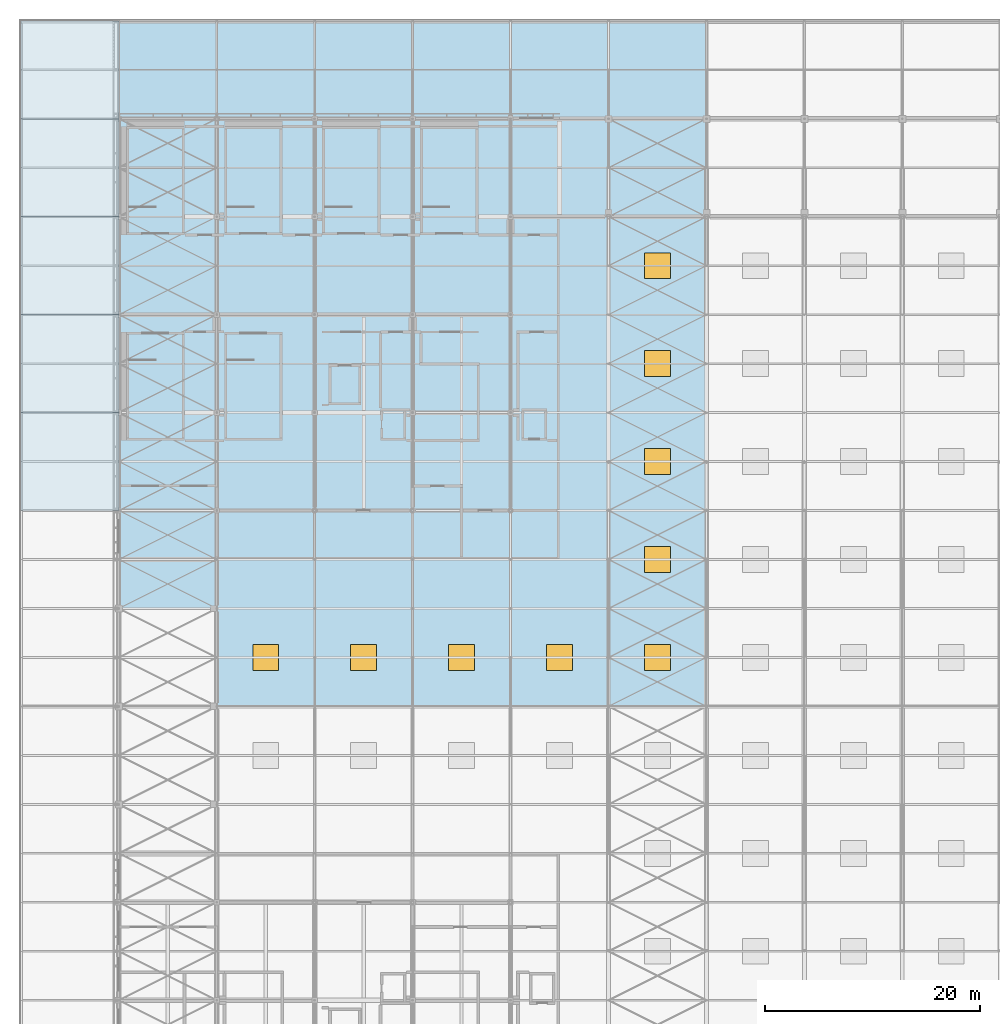
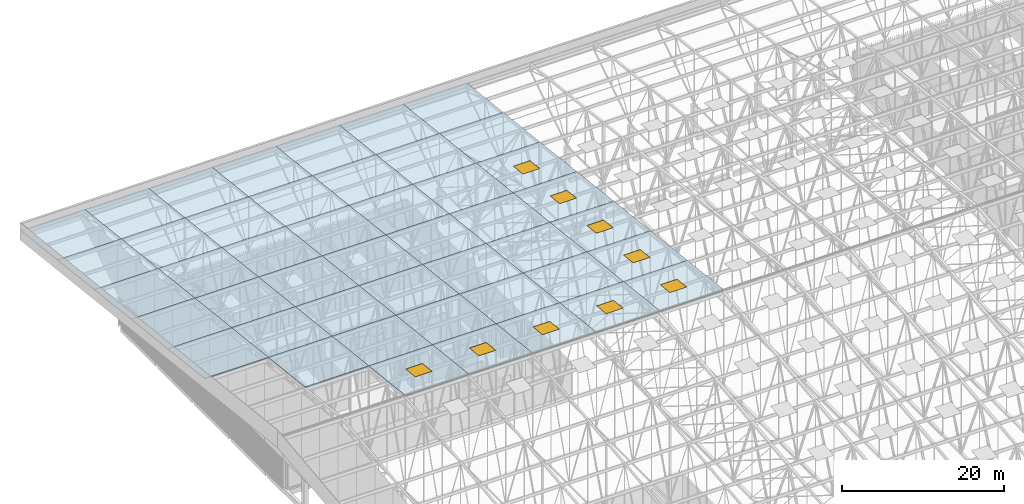
# One storey, part 420 of 500: 46 slabs, 9 windows, 9 openings.
"""IFC4 building model written with IfcOpenShell, lengths in metres."""

from ifc_helpers import new_model, si_unit, direction, frame, origin, origin_2d, place, context, subcontext, project, spatial, polyline, rectangle, outline, extrude, material, layer, layer_set, type_object, element, fill, save


model = new_model("IFC4")

# Units and contexts
model_context = context("Model", 3, precision=1e-05, world=origin(), true_north=direction((0.0, 1.0)))
body_context = subcontext(model_context, "Body", "Model", "MODEL_VIEW")
ifc_project = project(units=[si_unit("LENGTHUNIT", "METRE"), si_unit("AREAUNIT", "SQUARE_METRE"), si_unit("VOLUMEUNIT", "CUBIC_METRE"), si_unit("PLANEANGLEUNIT", "RADIAN"), si_unit("MASSUNIT", "GRAM", prefix="KILO")], contexts=[model_context])

# Site, building, storey
site_placement = place(None, origin())
site = spatial("IfcSite", under=ifc_project, at=site_placement, CompositionType="ELEMENT")
building_placement = place(site_placement, origin())
building = spatial("IfcBuilding", under=site, at=building_placement, Name="Shirokan Park Arena", CompositionType="ELEMENT")
storey_placement = place(building_placement, frame((0.0, 0.0, 29.1201171875)))
storey = spatial("IfcBuildingStorey", under=building, at=storey_placement, Name="L06", CompositionType="ELEMENT", Elevation=29.1201171875)

# Slabs
ifc_material_1 = material(Name="Concrete C30 precast", Category="concrete")
ifc_layer = layer(ifc_material_1, 0.1201171875)
ifc_layer_set = layer_set([ifc_layer], Name="Concrete C30 precast 120 mm")
slab_type = type_object("IfcSlabType", Name="Roof deck panel 120", PredefinedType="ROOF", material=ifc_layer_set)
slab_1_placement = place(storey_placement, frame((-9.10009765625, 72.800048828125, 17.03076171875), z_axis=(0.0, 0.113552605302, 0.993531985308), x_axis=(1.0, 0.0, 0.0)))
element("IfcSlab", 1, at=slab_1_placement, inside=storey, type_object=slab_type, Name="Roof deck panel 1-10", PredefinedType="ROOF", context=body_context, shape_type="SweptSolid", body=[
    extrude(outline(polyline([(0.0, 0.0), (9.10009765625, 0.0), (9.10009765625, 9.159094674549367), (0.0, 9.159094674549367), (0.0, 0.0)])), origin(), (0.0, 0.0, -1.0), 0.1201171875),
])
for number, where, z_axis, x_axis, name in (
    (2, (-9.10009765625, 81.89990234375, 15.99072265625), (0.0, 0.113549598152, 0.993532328996), (1.0, 0.0, 0.0), "Roof deck panel 1-11"),
    (3, (-9.10009765625, 91.0, 14.95068359375), (0.0, 0.113549598152, 0.993532328996), (1.0, 0.0, 0.0), "Roof deck panel 1-12"),
):
    element("IfcSlab", number, at=place(storey_placement, frame(where, z_axis=z_axis, x_axis=x_axis)), inside=storey, type_object=slab_type, Name=name, PredefinedType="ROOF", context=body_context, shape_type="SweptSolid", body=[
        extrude(outline(polyline([(0.0, 0.0), (9.10009765625, 0.0), (9.10009765625, 9.15933723611117), (0.0, 9.15933723611117), (0.0, 0.0)])), origin(), (0.0, 0.0, -1.0), 0.1201171875),
    ])
slab_2_placement = place(storey_placement, frame((-9.10009765625, 100.10009765625, 13.91064453125), z_axis=(0.0, 0.113552605302, 0.993531985308), x_axis=(1.0, 0.0, 0.0)))
element("IfcSlab", 4, at=slab_2_placement, inside=storey, type_object=slab_type, Name="Roof deck panel 1-13", PredefinedType="ROOF", context=body_context, shape_type="SweptSolid", body=[
    extrude(outline(polyline([(0.0, 0.0), (9.10009765625, 0.0), (9.10009765625, 9.159094674549367), (0.0, 9.159094674549367), (0.0, 0.0)])), origin(), (0.0, 0.0, -1.0), 0.1201171875),
])
slab_3_placement = place(storey_placement, frame((-9.10009765625, 109.199951171875, 12.87060546875), z_axis=(0.0, 0.113549598152, 0.993532328996), x_axis=(1.0, 0.0, 0.0)))
element("IfcSlab", 5, at=slab_3_placement, inside=storey, type_object=slab_type, Name="Roof deck panel 1-14", PredefinedType="ROOF", context=body_context, shape_type="SweptSolid", body=[
    extrude(outline(polyline([(0.0, 0.0), (9.10009765625, 0.0), (9.10009765625, 9.15933723611117), (0.0, 9.15933723611117), (0.0, 0.0)])), origin(), (0.0, 0.0, -1.0), 0.1201171875),
])
slab_4_placement = place(storey_placement, frame((0.0, 63.699951171875, 18.070556640625), z_axis=(0.0, 0.113523286872, 0.993535335727), x_axis=(1.0, 0.0, 0.0)))
element("IfcSlab", 6, at=slab_4_placement, inside=storey, type_object=slab_type, Name="Roof deck panel 2-9", PredefinedType="ROOF", context=body_context, shape_type="SweptSolid", body=[
    extrude(outline(polyline([(0.0, 0.0), (9.10009765625, 0.0), (9.10009765625, 9.159309517253131), (0.0, 9.159309517253131), (0.0, 0.0)])), origin(), (0.0, 0.0, -1.0), 0.1201171875),
])
slab_5_placement = place(storey_placement, frame((0.0, 72.800048828125, 17.03076171875), z_axis=(0.0, 0.113552605302, 0.993531985308), x_axis=(1.0, 0.0, 0.0)))
element("IfcSlab", 7, at=slab_5_placement, inside=storey, type_object=slab_type, Name="Roof deck panel 2-10", PredefinedType="ROOF", context=body_context, shape_type="SweptSolid", body=[
    extrude(outline(polyline([(0.0, 0.0), (9.10009765625, 0.0), (9.10009765625, 9.159094674549367), (0.0, 9.159094674549367), (0.0, 0.0)])), origin(), (0.0, 0.0, -1.0), 0.1201171875),
])
for number, where, z_axis, x_axis, name in (
    (8, (0.0, 81.89990234375, 15.99072265625), (0.0, 0.113549598152, 0.993532328996), (1.0, 0.0, 0.0), "Roof deck panel 2-11"),
    (9, (0.0, 91.0, 14.95068359375), (0.0, 0.113549598152, 0.993532328996), (1.0, 0.0, 0.0), "Roof deck panel 2-12"),
):
    element("IfcSlab", number, at=place(storey_placement, frame(where, z_axis=z_axis, x_axis=x_axis)), inside=storey, type_object=slab_type, Name=name, PredefinedType="ROOF", context=body_context, shape_type="SweptSolid", body=[
        extrude(outline(polyline([(0.0, 0.0), (9.10009765625, 0.0), (9.10009765625, 9.15933723611117), (0.0, 9.15933723611117), (0.0, 0.0)])), origin(), (0.0, 0.0, -1.0), 0.1201171875),
    ])
slab_6_placement = place(storey_placement, frame((0.0, 100.10009765625, 13.91064453125), z_axis=(0.0, 0.113552605302, 0.993531985308), x_axis=(1.0, 0.0, 0.0)))
element("IfcSlab", 10, at=slab_6_placement, inside=storey, type_object=slab_type, Name="Roof deck panel 2-13", PredefinedType="ROOF", context=body_context, shape_type="SweptSolid", body=[
    extrude(outline(polyline([(0.0, 0.0), (9.10009765625, 0.0), (9.10009765625, 9.159094674549367), (0.0, 9.159094674549367), (0.0, 0.0)])), origin(), (0.0, 0.0, -1.0), 0.1201171875),
])
slab_7_placement = place(storey_placement, frame((0.0, 109.199951171875, 12.87060546875), z_axis=(0.0, 0.113549598152, 0.993532328996), x_axis=(1.0, 0.0, 0.0)))
element("IfcSlab", 11, at=slab_7_placement, inside=storey, type_object=slab_type, Name="Roof deck panel 2-14", PredefinedType="ROOF", context=body_context, shape_type="SweptSolid", body=[
    extrude(outline(polyline([(0.0, 0.0), (9.10009765625, 0.0), (9.10009765625, 9.15933723611117), (0.0, 9.15933723611117), (0.0, 0.0)])), origin(), (0.0, 0.0, -1.0), 0.1201171875),
])

# Slab, opening, window
slab_8_placement = place(storey_placement, frame((9.10009765625, 54.60009765625, 19.110595703125), z_axis=(0.0, 0.113552605302, 0.993531985308), x_axis=(1.0, 0.0, 0.0)))
slab_8 = element("IfcSlab", 12, at=slab_8_placement, inside=storey, type_object=slab_type, Name="Roof deck panel 3-8", PredefinedType="ROOF", context=body_context, shape_type="SweptSolid", body=[
    extrude(outline(polyline([(0.0, 0.0), (9.099853515625, 0.0), (9.099853515625, 9.159094674549365), (0.0, 9.159094674549365), (0.0, 0.0)]), holes=[polyline([(3.349853515625, 3.371655970585497), (5.75, 3.371655970585497), (5.75, 5.787410981159839), (3.349853515625, 5.787410981159839), (3.349853515625, 3.371655970585497)])]), origin(), (0.0, 0.0, -1.0), 0.1201171875),
])
opening_1_placement = place(slab_8_placement, frame((4.5498046875, 4.579345703125, 0.010009765625)))
opening_1 = element("IfcOpeningElement", 13, at=opening_1_placement, cuts=slab_8, Name="Opening RL1", PredefinedType="OPENING", context=body_context, shape_type="SweptSolid", body=[
    extrude(rectangle(XDim=2.39990234375, YDim=2.415526001417119, at=origin_2d()), origin(), (0.0, 0.0, -1.0), 0.139892578125),
])
ifc_material_2 = material(Name="Aluminium frame with laminated glass", Category="aluminium")
window_type = type_object("IfcWindowType", Name="Roof light 2400x2400", PartitioningType="SINGLE_PANEL", PredefinedType="SKYLIGHT", material=ifc_material_2)
window_1_placement = place(opening_1_placement, frame((0.0, 0.0, -0.06005859375)))
window_1 = element("IfcWindow", 14, at=window_1_placement, inside=storey, type_object=window_type, Name="Roof light 03-08", OverallHeight=2.415526001417119, OverallWidth=2.39990234375, PartitioningType="SINGLE_PANEL", PredefinedType="SKYLIGHT", context=body_context, shape_type="SweptSolid", body=[
    extrude(rectangle(XDim=2.39990234375, YDim=2.415526001417119, at=origin_2d()), origin(), (0.0, 0.0, 1.0), 0.050048828125),
])
fill(opening_1, window_1)

# Slabs
slab_9_placement = place(storey_placement, frame((9.10009765625, 63.699951171875, 18.070556640625), z_axis=(0.0, 0.113523286872, 0.993535335727), x_axis=(1.0, 0.0, 0.0)))
element("IfcSlab", 15, at=slab_9_placement, inside=storey, type_object=slab_type, Name="Roof deck panel 3-9", PredefinedType="ROOF", context=body_context, shape_type="SweptSolid", body=[
    extrude(outline(polyline([(0.0, 0.0), (9.099853515625, 0.0), (9.099853515625, 9.159309517253131), (0.0, 9.159309517253131), (0.0, 0.0)])), origin(), (0.0, 0.0, -1.0), 0.1201171875),
])
slab_10_placement = place(storey_placement, frame((9.10009765625, 72.800048828125, 17.03076171875), z_axis=(0.0, 0.113552605302, 0.993531985308), x_axis=(1.0, 0.0, 0.0)))
element("IfcSlab", 16, at=slab_10_placement, inside=storey, type_object=slab_type, Name="Roof deck panel 3-10", PredefinedType="ROOF", context=body_context, shape_type="SweptSolid", body=[
    extrude(outline(polyline([(0.0, 0.0), (9.099853515625, 0.0), (9.099853515625, 9.159094674549365), (0.0, 9.159094674549365), (0.0, 0.0)])), origin(), (0.0, 0.0, -1.0), 0.1201171875),
])
for number, where, z_axis, x_axis, name in (
    (17, (9.10009765625, 81.89990234375, 15.99072265625), (0.0, 0.113549598152, 0.993532328996), (1.0, 0.0, 0.0), "Roof deck panel 3-11"),
    (18, (9.10009765625, 91.0, 14.95068359375), (0.0, 0.113549598152, 0.993532328996), (1.0, 0.0, 0.0), "Roof deck panel 3-12"),
):
    element("IfcSlab", number, at=place(storey_placement, frame(where, z_axis=z_axis, x_axis=x_axis)), inside=storey, type_object=slab_type, Name=name, PredefinedType="ROOF", context=body_context, shape_type="SweptSolid", body=[
        extrude(outline(polyline([(0.0, 0.0), (9.099853515625, 0.0), (9.099853515625, 9.15933723611117), (0.0, 9.15933723611117), (0.0, 0.0)])), origin(), (0.0, 0.0, -1.0), 0.1201171875),
    ])
slab_11_placement = place(storey_placement, frame((9.10009765625, 100.10009765625, 13.91064453125), z_axis=(0.0, 0.113552605302, 0.993531985308), x_axis=(1.0, 0.0, 0.0)))
element("IfcSlab", 19, at=slab_11_placement, inside=storey, type_object=slab_type, Name="Roof deck panel 3-13", PredefinedType="ROOF", context=body_context, shape_type="SweptSolid", body=[
    extrude(outline(polyline([(0.0, 0.0), (9.099853515625, 0.0), (9.099853515625, 9.159094674549365), (0.0, 9.159094674549365), (0.0, 0.0)])), origin(), (0.0, 0.0, -1.0), 0.1201171875),
])
slab_12_placement = place(storey_placement, frame((9.10009765625, 109.199951171875, 12.87060546875), z_axis=(0.0, 0.113549598152, 0.993532328996), x_axis=(1.0, 0.0, 0.0)))
element("IfcSlab", 20, at=slab_12_placement, inside=storey, type_object=slab_type, Name="Roof deck panel 3-14", PredefinedType="ROOF", context=body_context, shape_type="SweptSolid", body=[
    extrude(outline(polyline([(0.0, 0.0), (9.099853515625, 0.0), (9.099853515625, 9.15933723611117), (0.0, 9.15933723611117), (0.0, 0.0)])), origin(), (0.0, 0.0, -1.0), 0.1201171875),
])

# Slab, opening, window
slab_13_placement = place(storey_placement, frame((18.199951171875, 54.60009765625, 19.110595703125), z_axis=(0.0, 0.113552605302, 0.993531985308), x_axis=(1.0, 0.0, 0.0)))
slab_13 = element("IfcSlab", 21, at=slab_13_placement, inside=storey, type_object=slab_type, Name="Roof deck panel 4-8", PredefinedType="ROOF", context=body_context, shape_type="SweptSolid", body=[
    extrude(outline(polyline([(0.0, 0.0), (9.10009765625, 0.0), (9.10009765625, 9.159094674549367), (0.0, 9.159094674549367), (0.0, 0.0)]), holes=[polyline([(3.35009765625, 3.3716559705854974), (5.75, 3.3716559705854974), (5.75, 5.78741098115984), (3.35009765625, 5.78741098115984), (3.35009765625, 3.3716559705854974)])]), origin(), (0.0, 0.0, -1.0), 0.1201171875),
])
opening_2_placement = place(slab_13_placement, frame((4.550048828125, 4.579345703125, 0.010009765625)))
opening_2 = element("IfcOpeningElement", 22, at=opening_2_placement, cuts=slab_13, Name="Opening RL1", PredefinedType="OPENING", context=body_context, shape_type="SweptSolid", body=[
    extrude(rectangle(XDim=2.39990234375, YDim=2.4155260014171187, at=origin_2d()), origin(), (0.0, 0.0, -1.0), 0.139892578125),
])
window_2_placement = place(opening_2_placement, frame((0.0, 0.0, -0.06005859375)))
window_2 = element("IfcWindow", 23, at=window_2_placement, inside=storey, type_object=window_type, Name="Roof light 04-08", OverallHeight=2.4155260014171187, OverallWidth=2.39990234375, PartitioningType="SINGLE_PANEL", PredefinedType="SKYLIGHT", context=body_context, shape_type="SweptSolid", body=[
    extrude(rectangle(XDim=2.39990234375, YDim=2.4155260014171187, at=origin_2d()), origin(), (0.0, 0.0, 1.0), 0.050048828125),
])
fill(opening_2, window_2)

# Slabs
slab_14_placement = place(storey_placement, frame((18.199951171875, 63.699951171875, 18.070556640625), z_axis=(0.0, 0.113523286872, 0.993535335727), x_axis=(1.0, 0.0, 0.0)))
element("IfcSlab", 24, at=slab_14_placement, inside=storey, type_object=slab_type, Name="Roof deck panel 4-9", PredefinedType="ROOF", context=body_context, shape_type="SweptSolid", body=[
    extrude(outline(polyline([(0.0, 0.0), (9.10009765625, 0.0), (9.10009765625, 9.159309517253131), (0.0, 9.159309517253131), (0.0, 0.0)])), origin(), (0.0, 0.0, -1.0), 0.1201171875),
])
slab_15_placement = place(storey_placement, frame((18.199951171875, 72.800048828125, 17.03076171875), z_axis=(0.0, 0.113552605302, 0.993531985308), x_axis=(1.0, 0.0, 0.0)))
element("IfcSlab", 25, at=slab_15_placement, inside=storey, type_object=slab_type, Name="Roof deck panel 4-10", PredefinedType="ROOF", context=body_context, shape_type="SweptSolid", body=[
    extrude(outline(polyline([(0.0, 0.0), (9.10009765625, 0.0), (9.10009765625, 9.159094674549367), (0.0, 9.159094674549367), (0.0, 0.0)])), origin(), (0.0, 0.0, -1.0), 0.1201171875),
])
for number, where, z_axis, x_axis, name in (
    (26, (18.199951171875, 81.89990234375, 15.99072265625), (0.0, 0.113549598152, 0.993532328996), (1.0, 0.0, 0.0), "Roof deck panel 4-11"),
    (27, (18.199951171875, 91.0, 14.95068359375), (0.0, 0.113549598152, 0.993532328996), (1.0, 0.0, 0.0), "Roof deck panel 4-12"),
):
    element("IfcSlab", number, at=place(storey_placement, frame(where, z_axis=z_axis, x_axis=x_axis)), inside=storey, type_object=slab_type, Name=name, PredefinedType="ROOF", context=body_context, shape_type="SweptSolid", body=[
        extrude(outline(polyline([(0.0, 0.0), (9.10009765625, 0.0), (9.10009765625, 9.15933723611117), (0.0, 9.15933723611117), (0.0, 0.0)])), origin(), (0.0, 0.0, -1.0), 0.1201171875),
    ])
slab_16_placement = place(storey_placement, frame((18.199951171875, 100.10009765625, 13.91064453125), z_axis=(0.0, 0.113552605302, 0.993531985308), x_axis=(1.0, 0.0, 0.0)))
element("IfcSlab", 28, at=slab_16_placement, inside=storey, type_object=slab_type, Name="Roof deck panel 4-13", PredefinedType="ROOF", context=body_context, shape_type="SweptSolid", body=[
    extrude(outline(polyline([(0.0, 0.0), (9.10009765625, 0.0), (9.10009765625, 9.159094674549367), (0.0, 9.159094674549367), (0.0, 0.0)])), origin(), (0.0, 0.0, -1.0), 0.1201171875),
])
slab_17_placement = place(storey_placement, frame((18.199951171875, 109.199951171875, 12.87060546875), z_axis=(0.0, 0.113549598152, 0.993532328996), x_axis=(1.0, 0.0, 0.0)))
element("IfcSlab", 29, at=slab_17_placement, inside=storey, type_object=slab_type, Name="Roof deck panel 4-14", PredefinedType="ROOF", context=body_context, shape_type="SweptSolid", body=[
    extrude(outline(polyline([(0.0, 0.0), (9.10009765625, 0.0), (9.10009765625, 9.15933723611117), (0.0, 9.15933723611117), (0.0, 0.0)])), origin(), (0.0, 0.0, -1.0), 0.1201171875),
])

# Slab, opening, window
slab_18_placement = place(storey_placement, frame((27.300048828125, 54.60009765625, 19.110595703125), z_axis=(0.0, 0.113552605302, 0.993531985308), x_axis=(1.0, 0.0, 0.0)))
slab_18 = element("IfcSlab", 30, at=slab_18_placement, inside=storey, type_object=slab_type, Name="Roof deck panel 5-8", PredefinedType="ROOF", context=body_context, shape_type="SweptSolid", body=[
    extrude(outline(polyline([(0.0, 0.0), (9.099853515625, 0.0), (9.099853515625, 9.159094674549365), (0.0, 9.159094674549365), (0.0, 0.0)]), holes=[polyline([(3.349853515625, 3.371655970585497), (5.75, 3.371655970585497), (5.75, 5.787410981159839), (3.349853515625, 5.787410981159839), (3.349853515625, 3.371655970585497)])]), origin(), (0.0, 0.0, -1.0), 0.1201171875),
])
opening_3_placement = place(slab_18_placement, frame((4.550048828125, 4.579345703125, 0.010009765625)))
opening_3 = element("IfcOpeningElement", 31, at=opening_3_placement, cuts=slab_18, Name="Opening RL1", PredefinedType="OPENING", context=body_context, shape_type="SweptSolid", body=[
    extrude(rectangle(XDim=2.39990234375, YDim=2.415526001417119, at=origin_2d()), origin(), (0.0, 0.0, -1.0), 0.139892578125),
])
window_3_placement = place(opening_3_placement, frame((0.0, 0.0, -0.06005859375)))
window_3 = element("IfcWindow", 32, at=window_3_placement, inside=storey, type_object=window_type, Name="Roof light 05-08", OverallHeight=2.415526001417119, OverallWidth=2.39990234375, PartitioningType="SINGLE_PANEL", PredefinedType="SKYLIGHT", context=body_context, shape_type="SweptSolid", body=[
    extrude(rectangle(XDim=2.39990234375, YDim=2.415526001417119, at=origin_2d()), origin(), (0.0, 0.0, 1.0), 0.050048828125),
])
fill(opening_3, window_3)

# Slabs
slab_19_placement = place(storey_placement, frame((27.300048828125, 63.699951171875, 18.070556640625), z_axis=(0.0, 0.113523286872, 0.993535335727), x_axis=(1.0, 0.0, 0.0)))
element("IfcSlab", 33, at=slab_19_placement, inside=storey, type_object=slab_type, Name="Roof deck panel 5-9", PredefinedType="ROOF", context=body_context, shape_type="SweptSolid", body=[
    extrude(outline(polyline([(0.0, 0.0), (9.099853515625, 0.0), (9.099853515625, 9.159309517253131), (0.0, 9.159309517253131), (0.0, 0.0)])), origin(), (0.0, 0.0, -1.0), 0.1201171875),
])
slab_20_placement = place(storey_placement, frame((27.300048828125, 72.800048828125, 17.03076171875), z_axis=(0.0, 0.113552605302, 0.993531985308), x_axis=(1.0, 0.0, 0.0)))
element("IfcSlab", 34, at=slab_20_placement, inside=storey, type_object=slab_type, Name="Roof deck panel 5-10", PredefinedType="ROOF", context=body_context, shape_type="SweptSolid", body=[
    extrude(outline(polyline([(0.0, 0.0), (9.099853515625, 0.0), (9.099853515625, 9.159094674549365), (0.0, 9.159094674549365), (0.0, 0.0)])), origin(), (0.0, 0.0, -1.0), 0.1201171875),
])
for number, where, z_axis, x_axis, name in (
    (35, (27.300048828125, 81.89990234375, 15.99072265625), (0.0, 0.113549598152, 0.993532328996), (1.0, 0.0, 0.0), "Roof deck panel 5-11"),
    (36, (27.300048828125, 91.0, 14.95068359375), (0.0, 0.113549598152, 0.993532328996), (1.0, 0.0, 0.0), "Roof deck panel 5-12"),
):
    element("IfcSlab", number, at=place(storey_placement, frame(where, z_axis=z_axis, x_axis=x_axis)), inside=storey, type_object=slab_type, Name=name, PredefinedType="ROOF", context=body_context, shape_type="SweptSolid", body=[
        extrude(outline(polyline([(0.0, 0.0), (9.099853515625, 0.0), (9.099853515625, 9.15933723611117), (0.0, 9.15933723611117), (0.0, 0.0)])), origin(), (0.0, 0.0, -1.0), 0.1201171875),
    ])
slab_21_placement = place(storey_placement, frame((27.300048828125, 100.10009765625, 13.91064453125), z_axis=(0.0, 0.113552605302, 0.993531985308), x_axis=(1.0, 0.0, 0.0)))
element("IfcSlab", 37, at=slab_21_placement, inside=storey, type_object=slab_type, Name="Roof deck panel 5-13", PredefinedType="ROOF", context=body_context, shape_type="SweptSolid", body=[
    extrude(outline(polyline([(0.0, 0.0), (9.099853515625, 0.0), (9.099853515625, 9.159094674549365), (0.0, 9.159094674549365), (0.0, 0.0)])), origin(), (0.0, 0.0, -1.0), 0.1201171875),
])
slab_22_placement = place(storey_placement, frame((27.300048828125, 109.199951171875, 12.87060546875), z_axis=(0.0, 0.113549598152, 0.993532328996), x_axis=(1.0, 0.0, 0.0)))
element("IfcSlab", 38, at=slab_22_placement, inside=storey, type_object=slab_type, Name="Roof deck panel 5-14", PredefinedType="ROOF", context=body_context, shape_type="SweptSolid", body=[
    extrude(outline(polyline([(0.0, 0.0), (9.099853515625, 0.0), (9.099853515625, 9.15933723611117), (0.0, 9.15933723611117), (0.0, 0.0)])), origin(), (0.0, 0.0, -1.0), 0.1201171875),
])

# Slab, opening, window
slab_23_placement = place(storey_placement, frame((36.39990234375, 54.60009765625, 19.110595703125), z_axis=(0.0, 0.113552605302, 0.993531985308), x_axis=(1.0, 0.0, 0.0)))
slab_23 = element("IfcSlab", 39, at=slab_23_placement, inside=storey, type_object=slab_type, Name="Roof deck panel 6-8", PredefinedType="ROOF", context=body_context, shape_type="SweptSolid", body=[
    extrude(outline(polyline([(0.0, 0.0), (9.10009765625, 0.0), (9.10009765625, 9.159094674549367), (0.0, 9.159094674549367), (0.0, 0.0)]), holes=[polyline([(3.35009765625, 3.3716559705854974), (5.75, 3.3716559705854974), (5.75, 5.78741098115984), (3.35009765625, 5.78741098115984), (3.35009765625, 3.3716559705854974)])]), origin(), (0.0, 0.0, -1.0), 0.1201171875),
])
opening_4_placement = place(slab_23_placement, frame((4.550048828125, 4.579345703125, 0.010009765625)))
opening_4 = element("IfcOpeningElement", 40, at=opening_4_placement, cuts=slab_23, Name="Opening RL1", PredefinedType="OPENING", context=body_context, shape_type="SweptSolid", body=[
    extrude(rectangle(XDim=2.39990234375, YDim=2.4155260014171187, at=origin_2d()), origin(), (0.0, 0.0, -1.0), 0.139892578125),
])
window_4_placement = place(opening_4_placement, frame((0.0, 0.0, -0.06005859375)))
window_4 = element("IfcWindow", 41, at=window_4_placement, inside=storey, type_object=window_type, Name="Roof light 06-08", OverallHeight=2.4155260014171187, OverallWidth=2.39990234375, PartitioningType="SINGLE_PANEL", PredefinedType="SKYLIGHT", context=body_context, shape_type="SweptSolid", body=[
    extrude(rectangle(XDim=2.39990234375, YDim=2.4155260014171187, at=origin_2d()), origin(), (0.0, 0.0, 1.0), 0.050048828125),
])
fill(opening_4, window_4)

# Slabs
slab_24_placement = place(storey_placement, frame((36.39990234375, 63.699951171875, 18.070556640625), z_axis=(0.0, 0.113523286872, 0.993535335727), x_axis=(1.0, 0.0, 0.0)))
element("IfcSlab", 42, at=slab_24_placement, inside=storey, type_object=slab_type, Name="Roof deck panel 6-9", PredefinedType="ROOF", context=body_context, shape_type="SweptSolid", body=[
    extrude(outline(polyline([(0.0, 0.0), (9.10009765625, 0.0), (9.10009765625, 9.159309517253131), (0.0, 9.159309517253131), (0.0, 0.0)])), origin(), (0.0, 0.0, -1.0), 0.1201171875),
])
slab_25_placement = place(storey_placement, frame((36.39990234375, 72.800048828125, 17.03076171875), z_axis=(0.0, 0.113552605302, 0.993531985308), x_axis=(1.0, 0.0, 0.0)))
element("IfcSlab", 43, at=slab_25_placement, inside=storey, type_object=slab_type, Name="Roof deck panel 6-10", PredefinedType="ROOF", context=body_context, shape_type="SweptSolid", body=[
    extrude(outline(polyline([(0.0, 0.0), (9.10009765625, 0.0), (9.10009765625, 9.159094674549367), (0.0, 9.159094674549367), (0.0, 0.0)])), origin(), (0.0, 0.0, -1.0), 0.1201171875),
])
for number, where, z_axis, x_axis, name in (
    (44, (36.39990234375, 81.89990234375, 15.99072265625), (0.0, 0.113549598152, 0.993532328996), (1.0, 0.0, 0.0), "Roof deck panel 6-11"),
    (45, (36.39990234375, 91.0, 14.95068359375), (0.0, 0.113549598152, 0.993532328996), (1.0, 0.0, 0.0), "Roof deck panel 6-12"),
):
    element("IfcSlab", number, at=place(storey_placement, frame(where, z_axis=z_axis, x_axis=x_axis)), inside=storey, type_object=slab_type, Name=name, PredefinedType="ROOF", context=body_context, shape_type="SweptSolid", body=[
        extrude(outline(polyline([(0.0, 0.0), (9.10009765625, 0.0), (9.10009765625, 9.15933723611117), (0.0, 9.15933723611117), (0.0, 0.0)])), origin(), (0.0, 0.0, -1.0), 0.1201171875),
    ])
slab_26_placement = place(storey_placement, frame((36.39990234375, 100.10009765625, 13.91064453125), z_axis=(0.0, 0.113552605302, 0.993531985308), x_axis=(1.0, 0.0, 0.0)))
element("IfcSlab", 46, at=slab_26_placement, inside=storey, type_object=slab_type, Name="Roof deck panel 6-13", PredefinedType="ROOF", context=body_context, shape_type="SweptSolid", body=[
    extrude(outline(polyline([(0.0, 0.0), (9.10009765625, 0.0), (9.10009765625, 9.159094674549367), (0.0, 9.159094674549367), (0.0, 0.0)])), origin(), (0.0, 0.0, -1.0), 0.1201171875),
])
slab_27_placement = place(storey_placement, frame((36.39990234375, 109.199951171875, 12.87060546875), z_axis=(0.0, 0.113549598152, 0.993532328996), x_axis=(1.0, 0.0, 0.0)))
element("IfcSlab", 47, at=slab_27_placement, inside=storey, type_object=slab_type, Name="Roof deck panel 6-14", PredefinedType="ROOF", context=body_context, shape_type="SweptSolid", body=[
    extrude(outline(polyline([(0.0, 0.0), (9.10009765625, 0.0), (9.10009765625, 9.15933723611117), (0.0, 9.15933723611117), (0.0, 0.0)])), origin(), (0.0, 0.0, -1.0), 0.1201171875),
])

# Slab, opening, window
slab_28_placement = place(storey_placement, frame((45.5, 54.60009765625, 19.110595703125), z_axis=(0.0, 0.113552605302, 0.993531985308), x_axis=(1.0, 0.0, 0.0)))
slab_28 = element("IfcSlab", 48, at=slab_28_placement, inside=storey, type_object=slab_type, Name="Roof deck panel 7-8", PredefinedType="ROOF", context=body_context, shape_type="SweptSolid", body=[
    extrude(outline(polyline([(0.0, 0.0), (9.10009765625, 0.0), (9.10009765625, 9.159094674549367), (0.0, 9.159094674549367), (0.0, 0.0)]), holes=[polyline([(3.35009765625, 3.3716559705854974), (5.75, 3.3716559705854974), (5.75, 5.78741098115984), (3.35009765625, 5.78741098115984), (3.35009765625, 3.3716559705854974)])]), origin(), (0.0, 0.0, -1.0), 0.1201171875),
])
opening_5_placement = place(slab_28_placement, frame((4.550048828125, 4.579345703125, 0.010009765625)))
opening_5 = element("IfcOpeningElement", 49, at=opening_5_placement, cuts=slab_28, Name="Opening RL1", PredefinedType="OPENING", context=body_context, shape_type="SweptSolid", body=[
    extrude(rectangle(XDim=2.39990234375, YDim=2.4155260014171187, at=origin_2d()), origin(), (0.0, 0.0, -1.0), 0.139892578125),
])
window_5_placement = place(opening_5_placement, frame((0.0, 0.0, -0.06005859375)))
window_5 = element("IfcWindow", 50, at=window_5_placement, inside=storey, type_object=window_type, Name="Roof light 07-08", OverallHeight=2.4155260014171187, OverallWidth=2.39990234375, PartitioningType="SINGLE_PANEL", PredefinedType="SKYLIGHT", context=body_context, shape_type="SweptSolid", body=[
    extrude(rectangle(XDim=2.39990234375, YDim=2.4155260014171187, at=origin_2d()), origin(), (0.0, 0.0, 1.0), 0.050048828125),
])
fill(opening_5, window_5)

slab_29_placement = place(storey_placement, frame((45.5, 63.699951171875, 18.070556640625), z_axis=(0.0, 0.113523286872, 0.993535335727), x_axis=(1.0, 0.0, 0.0)))
slab_29 = element("IfcSlab", 51, at=slab_29_placement, inside=storey, type_object=slab_type, Name="Roof deck panel 7-9", PredefinedType="ROOF", context=body_context, shape_type="SweptSolid", body=[
    extrude(outline(polyline([(0.0, 0.0), (9.10009765625, 0.0), (9.10009765625, 9.159309517253131), (0.0, 9.159309517253131), (0.0, 0.0)]), holes=[polyline([(3.35009765625, 3.371898532875618), (5.75, 3.371898532875618), (5.75, 5.787410984377513), (3.35009765625, 5.787410984377513), (3.35009765625, 3.371898532875618)])]), origin(), (0.0, 0.0, -1.0), 0.1201171875),
])
opening_6_placement = place(slab_29_placement, frame((4.550048828125, 4.57958984375, 0.010009765625)))
opening_6 = element("IfcOpeningElement", 52, at=opening_6_placement, cuts=slab_29, Name="Opening RL1", PredefinedType="OPENING", context=body_context, shape_type="SweptSolid", body=[
    extrude(rectangle(XDim=2.39990234375, YDim=2.4155178557331727, at=origin_2d()), origin(), (0.0, 0.0, -1.0), 0.139892578125),
])
window_6_placement = place(opening_6_placement, frame((0.0, 0.0, -0.06005859375)))
window_6 = element("IfcWindow", 53, at=window_6_placement, inside=storey, type_object=window_type, Name="Roof light 07-09", OverallHeight=2.4155178557331727, OverallWidth=2.39990234375, PartitioningType="SINGLE_PANEL", PredefinedType="SKYLIGHT", context=body_context, shape_type="SweptSolid", body=[
    extrude(rectangle(XDim=2.39990234375, YDim=2.4155178557331727, at=origin_2d()), origin(), (0.0, 0.0, 1.0), 0.050048828125),
])
fill(opening_6, window_6)

slab_30_placement = place(storey_placement, frame((45.5, 72.800048828125, 17.03076171875), z_axis=(0.0, 0.113552605302, 0.993531985308), x_axis=(1.0, 0.0, 0.0)))
slab_30 = element("IfcSlab", 54, at=slab_30_placement, inside=storey, type_object=slab_type, Name="Roof deck panel 7-10", PredefinedType="ROOF", context=body_context, shape_type="SweptSolid", body=[
    extrude(outline(polyline([(0.0, 0.0), (9.10009765625, 0.0), (9.10009765625, 9.159094674549367), (0.0, 9.159094674549367), (0.0, 0.0)]), holes=[polyline([(3.35009765625, 3.3716836933895262), (5.75, 3.3716836933895262), (5.75, 5.787438703963868), (3.35009765625, 5.787438703963868), (3.35009765625, 3.3716836933895262)])]), origin(), (0.0, 0.0, -1.0), 0.1201171875),
])
opening_7_placement = place(slab_30_placement, frame((4.550048828125, 4.57958984375, 0.010009765625)))
opening_7 = element("IfcOpeningElement", 55, at=opening_7_placement, cuts=slab_30, Name="Opening RL1", PredefinedType="OPENING", context=body_context, shape_type="SweptSolid", body=[
    extrude(rectangle(XDim=2.39990234375, YDim=2.4155260014171187, at=origin_2d()), origin(), (0.0, 0.0, -1.0), 0.139892578125),
])
window_7_placement = place(opening_7_placement, frame((0.0, 0.0, -0.06005859375)))
window_7 = element("IfcWindow", 56, at=window_7_placement, inside=storey, type_object=window_type, Name="Roof light 07-10", OverallHeight=2.4155260014171187, OverallWidth=2.39990234375, PartitioningType="SINGLE_PANEL", PredefinedType="SKYLIGHT", context=body_context, shape_type="SweptSolid", body=[
    extrude(rectangle(XDim=2.39990234375, YDim=2.4155260014171187, at=origin_2d()), origin(), (0.0, 0.0, 1.0), 0.050048828125),
])
fill(opening_7, window_7)

slab_31_placement = place(storey_placement, frame((45.5, 81.89990234375, 15.99072265625), z_axis=(0.0, 0.113549598152, 0.993532328996), x_axis=(1.0, 0.0, 0.0)))
slab_31 = element("IfcSlab", 57, at=slab_31_placement, inside=storey, type_object=slab_type, Name="Roof deck panel 7-11", PredefinedType="ROOF", context=body_context, shape_type="SweptSolid", body=[
    extrude(outline(polyline([(0.0, 0.0), (9.10009765625, 0.0), (9.10009765625, 9.15933723611117), (0.0, 9.15933723611117), (0.0, 0.0)]), holes=[polyline([(3.35009765625, 3.3718985323194914), (5.75, 3.3718985323194914), (5.75, 5.78743870379168), (3.35009765625, 5.78743870379168), (3.35009765625, 3.3718985323194914)])]), origin(), (0.0, 0.0, -1.0), 0.1201171875),
])
opening_8_placement = place(slab_31_placement, frame((4.550048828125, 4.57958984375, 0.010009765625)))
opening_8 = element("IfcOpeningElement", 58, at=opening_8_placement, cuts=slab_31, Name="Opening RL1", PredefinedType="OPENING", context=body_context, shape_type="SweptSolid", body=[
    extrude(rectangle(XDim=2.39990234375, YDim=2.4155251658253154, at=origin_2d()), origin(), (0.0, 0.0, -1.0), 0.139892578125),
])
window_8_placement = place(opening_8_placement, frame((0.0, 0.0, -0.06005859375)))
window_8 = element("IfcWindow", 59, at=window_8_placement, inside=storey, type_object=window_type, Name="Roof light 07-11", OverallHeight=2.4155251658253154, OverallWidth=2.39990234375, PartitioningType="SINGLE_PANEL", PredefinedType="SKYLIGHT", context=body_context, shape_type="SweptSolid", body=[
    extrude(rectangle(XDim=2.39990234375, YDim=2.4155251658253154, at=origin_2d()), origin(), (0.0, 0.0, 1.0), 0.050048828125),
])
fill(opening_8, window_8)

slab_32_placement = place(storey_placement, frame((45.5, 91.0, 14.95068359375), z_axis=(0.0, 0.113549598152, 0.993532328996), x_axis=(1.0, 0.0, 0.0)))
slab_32 = element("IfcSlab", 60, at=slab_32_placement, inside=storey, type_object=slab_type, Name="Roof deck panel 7-12", PredefinedType="ROOF", context=body_context, shape_type="SweptSolid", body=[
    extrude(outline(polyline([(0.0, 0.0), (9.10009765625, 0.0), (9.10009765625, 9.15933723611117), (0.0, 9.15933723611117), (0.0, 0.0)]), holes=[polyline([(3.35009765625, 3.3718985323194914), (5.75, 3.3718985323194914), (5.75, 5.78743870379168), (3.35009765625, 5.78743870379168), (3.35009765625, 3.3718985323194914)])]), origin(), (0.0, 0.0, -1.0), 0.1201171875),
])
opening_9_placement = place(slab_32_placement, frame((4.550048828125, 4.57958984375, 0.010009765625)))
opening_9 = element("IfcOpeningElement", 61, at=opening_9_placement, cuts=slab_32, Name="Opening RL1", PredefinedType="OPENING", context=body_context, shape_type="SweptSolid", body=[
    extrude(rectangle(XDim=2.39990234375, YDim=2.4155251658253154, at=origin_2d()), origin(), (0.0, 0.0, -1.0), 0.139892578125),
])
window_9_placement = place(opening_9_placement, frame((0.0, 0.0, -0.06005859375)))
window_9 = element("IfcWindow", 62, at=window_9_placement, inside=storey, type_object=window_type, Name="Roof light 07-12", OverallHeight=2.4155251658253154, OverallWidth=2.39990234375, PartitioningType="SINGLE_PANEL", PredefinedType="SKYLIGHT", context=body_context, shape_type="SweptSolid", body=[
    extrude(rectangle(XDim=2.39990234375, YDim=2.4155251658253154, at=origin_2d()), origin(), (0.0, 0.0, 1.0), 0.050048828125),
])
fill(opening_9, window_9)

# Slabs
slab_33_placement = place(storey_placement, frame((45.5, 100.10009765625, 13.91064453125), z_axis=(0.0, 0.113552605302, 0.993531985308), x_axis=(1.0, 0.0, 0.0)))
element("IfcSlab", 63, at=slab_33_placement, inside=storey, type_object=slab_type, Name="Roof deck panel 7-13", PredefinedType="ROOF", context=body_context, shape_type="SweptSolid", body=[
    extrude(outline(polyline([(0.0, 0.0), (9.10009765625, 0.0), (9.10009765625, 9.159094674549367), (0.0, 9.159094674549367), (0.0, 0.0)])), origin(), (0.0, 0.0, -1.0), 0.1201171875),
])
slab_34_placement = place(storey_placement, frame((45.5, 109.199951171875, 12.87060546875), z_axis=(0.0, 0.113549598152, 0.993532328996), x_axis=(1.0, 0.0, 0.0)))
element("IfcSlab", 64, at=slab_34_placement, inside=storey, type_object=slab_type, Name="Roof deck panel 7-14", PredefinedType="ROOF", context=body_context, shape_type="SweptSolid", body=[
    extrude(outline(polyline([(0.0, 0.0), (9.10009765625, 0.0), (9.10009765625, 9.15933723611117), (0.0, 9.15933723611117), (0.0, 0.0)])), origin(), (0.0, 0.0, -1.0), 0.1201171875),
])

save(model, "model.ifc")
